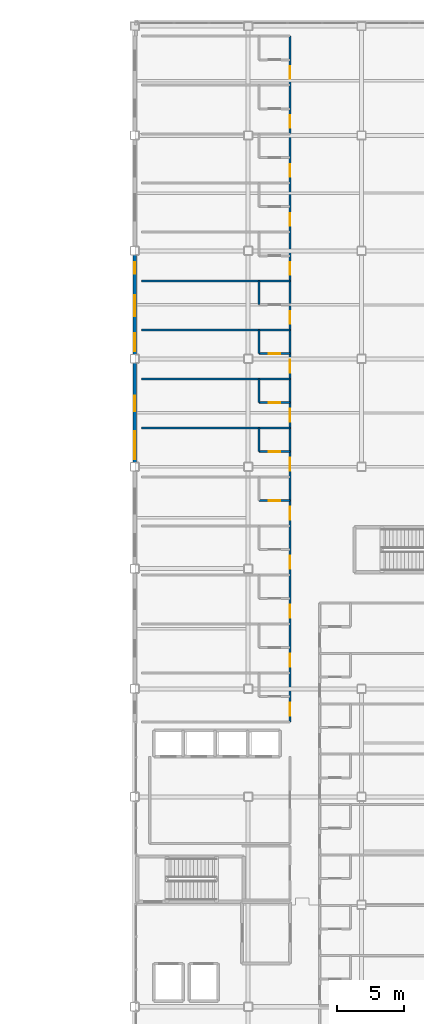
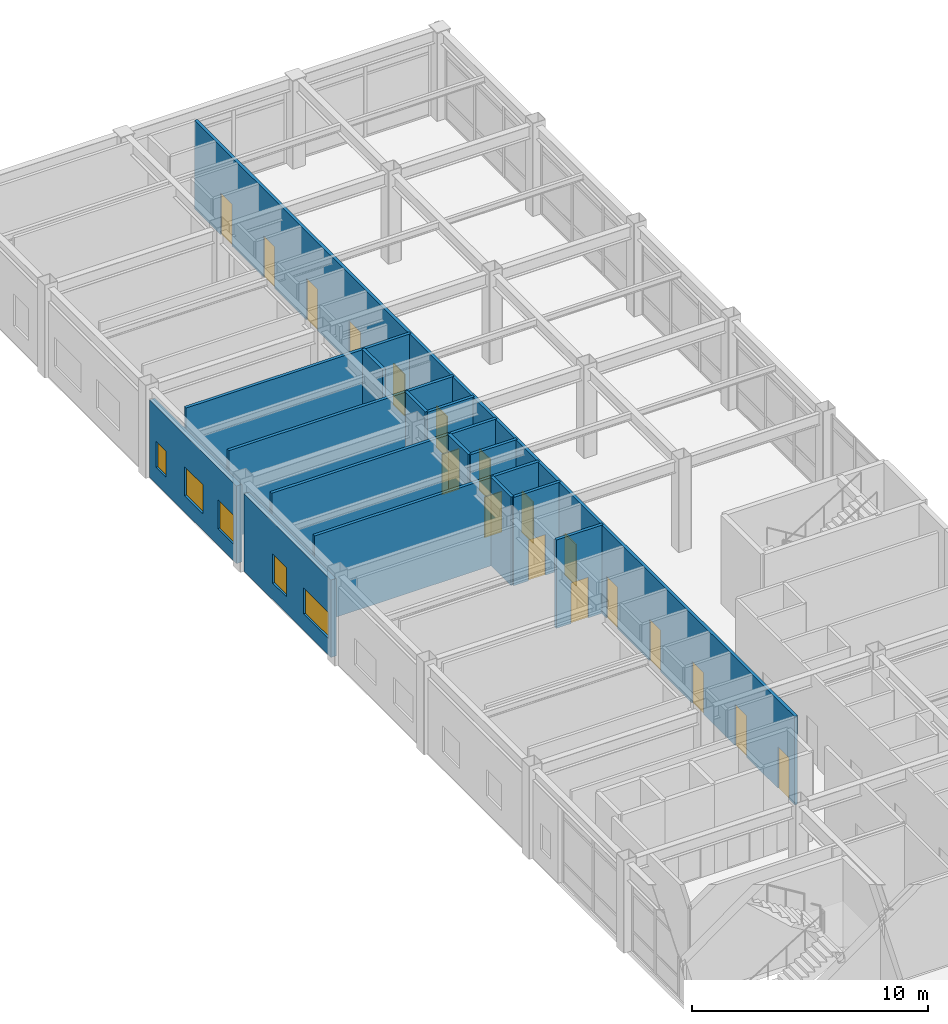
# One storey, part 54 of 61: 18 doors, 15 walls, 5 windows, 23 openings.
"""IFC4 building model written with IfcOpenShell, lengths in metres."""

from ifc_helpers import new_model, si_unit, direction, frame, frame_2d, origin, place, context, subcontext, project, spatial, rectangle, extrude, material, layer, layer_set, type_object, element, fill, save


model = new_model("IFC4")

# Units and contexts
model_context = context("Model", 3, precision=1e-05, world=origin(), true_north=direction((0.0, 1.0)))
body_context = subcontext(model_context, "Body", "Model", "MODEL_VIEW")
ifc_project = project(units=[si_unit("LENGTHUNIT", "METRE"), si_unit("AREAUNIT", "SQUARE_METRE"), si_unit("VOLUMEUNIT", "CUBIC_METRE"), si_unit("PLANEANGLEUNIT", "RADIAN"), si_unit("MASSUNIT", "GRAM", prefix="KILO")], contexts=[model_context])

# Site, building, storey
site_placement = place(None, origin())
site = spatial("IfcSite", under=ifc_project, at=site_placement, CompositionType="ELEMENT")
building_placement = place(site_placement, origin())
building = spatial("IfcBuilding", under=site, at=building_placement, Name="Kazehara Bluff Congress Hotel", CompositionType="ELEMENT")
storey_placement = place(building_placement, frame((0.0, 0.0, 19.800048828125)))
storey = spatial("IfcBuildingStorey", under=building, at=storey_placement, Name="L04", CompositionType="ELEMENT", Elevation=19.800048828125)

# Wall, openings, windows
ifc_material_1 = material(Name="Precast concrete C40/50", Category="concrete")
ifc_layer_1 = layer(ifc_material_1, 0.260009765625)
ifc_layer_set_1 = layer_set([ifc_layer_1], Name="Precast concrete C40/50")
wall_type_1 = type_object("IfcWallType", Name="TP-EW-260", PredefinedType="SOLIDWALL", material=ifc_layer_set_1)
wall_1_placement = place(storey_placement, frame((143.699951171875, 81.22509765625, 0.0), z_axis=(0.0, 0.0, 1.0), x_axis=(0.0, 1.0, 0.0)))
wall_1 = element("IfcWall", 1, at=wall_1_placement, inside=storey, type_object=wall_type_1, Name="L04 hotel facade panel 38", PredefinedType="SOLIDWALL", context=body_context, shape_type="SweptSolid", body=[
    extrude(rectangle(XDim=7.349853515625, YDim=0.260009765625, at=frame_2d((3.6748046875, 0.0))), origin(), (0.0, 0.0, 1.0), 4.0048828125),
])
opening_1_placement = place(wall_1_placement, frame((0.22509765625, 0.0, 0.85009765625)))
opening_1 = element("IfcOpeningElement", 2, at=opening_1_placement, cuts=wall_1, Name="Opening WN-46", PredefinedType="OPENING", context=body_context, shape_type="SweptSolid", body=[
    extrude(rectangle(XDim=2.10009765625, YDim=1.35009765625, at=frame_2d((1.050048828125, 0.675048828125))), frame((0.0, 0.139892578125, 0.0), z_axis=(0.0, -1.0, 0.0), x_axis=(1.0, 0.0, 0.0)), (0.0, 0.0, 1.0), 0.280029296875),
])
opening_2_placement = place(wall_1_placement, frame((3.784912109375, 0.0, 0.85009765625)))
opening_2 = element("IfcOpeningElement", 3, at=opening_2_placement, cuts=wall_1, Name="Opening WN-02", PredefinedType="OPENING", context=body_context, shape_type="SweptSolid", body=[
    extrude(rectangle(XDim=1.14990234375, YDim=1.5, at=frame_2d((0.574951171875, 0.75))), frame((0.0, 0.139892578125, 0.0), z_axis=(0.0, -1.0, 0.0), x_axis=(1.0, 0.0, 0.0)), (0.0, 0.0, 1.0), 0.280029296875),
])
ifc_material_2 = material(Name="Insulated low-E double glazing", Category="glass")
window_type_1 = type_object("IfcWindowType", Name="TP-WN-02", PartitioningType="SINGLE_PANEL", PredefinedType="WINDOW", material=ifc_material_2)
window_1_placement = place(opening_2_placement, origin())
window_1 = element("IfcWindow", 4, at=window_1_placement, inside=storey, type_object=window_type_1, Name="L04 guestroom window WN-02 59", OverallHeight=1.5, OverallWidth=1.14990234375, PartitioningType="SINGLE_PANEL", PredefinedType="WINDOW", context=body_context, shape_type="SweptSolid", body=[
    extrude(rectangle(XDim=1.14990234375, YDim=1.5, at=frame_2d((0.574951171875, 0.75))), frame((0.0, 0.030029296875, 0.0), z_axis=(0.0, -1.0, 0.0), x_axis=(1.0, 0.0, 0.0)), (0.0, 0.0, 1.0), 0.06005859375),
])
fill(opening_2, window_1)
ifc_material_3 = material(Name="Insulated low-E double glazing", Category="glass")
window_type_2 = type_object("IfcWindowType", Name="TP-WN-46", PartitioningType="DOUBLE_PANEL_VERTICAL", PredefinedType="WINDOW", material=ifc_material_3)
window_2_placement = place(opening_1_placement, origin())
window_2 = element("IfcWindow", 5, at=window_2_placement, inside=storey, type_object=window_type_2, Name="L04 guestroom window WN-46 58", OverallHeight=1.35009765625, OverallWidth=2.10009765625, PartitioningType="SINGLE_PANEL", PredefinedType="WINDOW", context=body_context, shape_type="SweptSolid", body=[
    extrude(rectangle(XDim=2.10009765625, YDim=1.35009765625, at=frame_2d((1.050048828125, 0.675048828125))), frame((0.0, 0.030029296875, 0.0), z_axis=(0.0, -1.0, 0.0), x_axis=(1.0, 0.0, 0.0)), (0.0, 0.0, 1.0), 0.06005859375),
])
fill(opening_1, window_2)

wall_2_placement = place(storey_placement, frame((143.699951171875, 89.22509765625, 0.0), z_axis=(0.0, 0.0, 1.0), x_axis=(0.0, 1.0, 0.0)))
wall_2 = element("IfcWall", 6, at=wall_2_placement, inside=storey, type_object=wall_type_1, Name="L04 hotel facade panel 39", PredefinedType="SOLIDWALL", context=body_context, shape_type="SweptSolid", body=[
    extrude(rectangle(XDim=7.349853515625, YDim=0.260009765625, at=frame_2d((3.6748046875, 0.0))), origin(), (0.0, 0.0, 1.0), 4.0048828125),
])
opening_3_placement = place(wall_2_placement, frame((0.22998046875, 0.0, 0.85009765625)))
opening_3 = element("IfcOpeningElement", 7, at=opening_3_placement, cuts=wall_2, Name="Opening WN-12", PredefinedType="OPENING", context=body_context, shape_type="SweptSolid", body=[
    extrude(rectangle(XDim=1.35009765625, YDim=1.5, at=frame_2d((0.675048828125, 0.75))), frame((0.0, 0.139892578125, 0.0), z_axis=(0.0, -1.0, 0.0), x_axis=(1.0, 0.0, 0.0)), (0.0, 0.0, 1.0), 0.280029296875),
])
opening_4_placement = place(wall_2_placement, frame((2.844970703125, 0.0, 0.85009765625)))
opening_4 = element("IfcOpeningElement", 8, at=opening_4_placement, cuts=wall_2, Name="Opening WN-22", PredefinedType="OPENING", context=body_context, shape_type="SweptSolid", body=[
    extrude(rectangle(XDim=1.550048828125, YDim=1.5, at=frame_2d((0.77490234375, 0.75))), frame((0.0, 0.139892578125, 0.0), z_axis=(0.0, -1.0, 0.0), x_axis=(1.0, 0.0, 0.0)), (0.0, 0.0, 1.0), 0.280029296875),
])
opening_5_placement = place(wall_2_placement, frame((5.965087890625, 0.0, 0.85009765625)))
opening_5 = element("IfcOpeningElement", 9, at=opening_5_placement, cuts=wall_2, Name="Opening WN-55", PredefinedType="OPENING", context=body_context, shape_type="SweptSolid", body=[
    extrude(rectangle(XDim=0.85009765625, YDim=1.35009765625, at=frame_2d((0.425048828125, 0.675048828125))), frame((0.0, 0.139892578125, 0.0), z_axis=(0.0, -1.0, 0.0), x_axis=(1.0, 0.0, 0.0)), (0.0, 0.0, 1.0), 0.280029296875),
])
ifc_material_4 = material(Name="Insulated low-E double glazing", Category="glass")
window_type_3 = type_object("IfcWindowType", Name="TP-WN-12", PartitioningType="SINGLE_PANEL", PredefinedType="WINDOW", material=ifc_material_4)
window_3_placement = place(opening_3_placement, origin())
window_3 = element("IfcWindow", 10, at=window_3_placement, inside=storey, type_object=window_type_3, Name="L04 guestroom window WN-12 60", OverallHeight=1.5, OverallWidth=1.35009765625, PartitioningType="SINGLE_PANEL", PredefinedType="WINDOW", context=body_context, shape_type="SweptSolid", body=[
    extrude(rectangle(XDim=1.35009765625, YDim=1.5, at=frame_2d((0.675048828125, 0.75))), frame((0.0, 0.030029296875, 0.0), z_axis=(0.0, -1.0, 0.0), x_axis=(1.0, 0.0, 0.0)), (0.0, 0.0, 1.0), 0.06005859375),
])
fill(opening_3, window_3)
ifc_material_5 = material(Name="Insulated low-E double glazing", Category="glass")
window_type_4 = type_object("IfcWindowType", Name="TP-WN-22", PartitioningType="SINGLE_PANEL", PredefinedType="WINDOW", material=ifc_material_5)
window_4_placement = place(opening_4_placement, origin())
window_4 = element("IfcWindow", 11, at=window_4_placement, inside=storey, type_object=window_type_4, Name="L04 guestroom window WN-22 61", OverallHeight=1.5, OverallWidth=1.550048828125, PartitioningType="SINGLE_PANEL", PredefinedType="WINDOW", context=body_context, shape_type="SweptSolid", body=[
    extrude(rectangle(XDim=1.550048828125, YDim=1.5, at=frame_2d((0.77490234375, 0.75))), frame((0.0, 0.030029296875, 0.0), z_axis=(0.0, -1.0, 0.0), x_axis=(1.0, 0.0, 0.0)), (0.0, 0.0, 1.0), 0.06005859375),
])
fill(opening_4, window_4)
ifc_material_6 = material(Name="Insulated low-E double glazing", Category="glass")
window_type_5 = type_object("IfcWindowType", Name="TP-WN-55", PartitioningType="SINGLE_PANEL", PredefinedType="WINDOW", material=ifc_material_6)
window_5_placement = place(opening_5_placement, origin())
window_5 = element("IfcWindow", 12, at=window_5_placement, inside=storey, type_object=window_type_5, Name="L04 guestroom window WN-55 62", OverallHeight=1.35009765625, OverallWidth=0.85009765625, PartitioningType="SINGLE_PANEL", PredefinedType="WINDOW", context=body_context, shape_type="SweptSolid", body=[
    extrude(rectangle(XDim=0.85009765625, YDim=1.35009765625, at=frame_2d((0.425048828125, 0.675048828125))), frame((0.0, 0.030029296875, 0.0), z_axis=(0.0, -1.0, 0.0), x_axis=(1.0, 0.0, 0.0)), (0.0, 0.0, 1.0), 0.06005859375),
])
fill(opening_5, window_5)

# Wall, opening, door
ifc_material_7 = material(Name="Fire-rated gypsum board stud partition")
ifc_layer_2 = layer(ifc_material_7, 0.14990234375)
ifc_layer_set_2 = layer_set([ifc_layer_2], Name="Fire-rated gypsum board stud partition")
wall_type_2 = type_object("IfcWallType", Name="TP-PT-150", PredefinedType="PARTITIONING", material=ifc_layer_set_2)
wall_3_placement = place(storey_placement, frame((152.89990234375, 78.389892578125, 0.0), z_axis=(0.0, 0.0, 1.0), x_axis=(1.0, 0.0, 0.0)))
wall_3 = element("IfcWall", 13, at=wall_3_placement, inside=storey, type_object=wall_type_2, Name="L04 partition PT-150 435", PredefinedType="PARTITIONING", context=body_context, shape_type="SweptSolid", body=[
    extrude(rectangle(XDim=2.300048828125, YDim=0.14990234375, at=frame_2d((1.14990234375, 0.0))), origin(), (0.0, 0.0, 1.0), 4.56494140625),
])
opening_6_placement = place(wall_3_placement, frame((0.72509765625, 0.0, 0.0)))
opening_6 = element("IfcOpeningElement", 14, at=opening_6_placement, cuts=wall_3, Name="Opening BD-01", PredefinedType="OPENING", context=body_context, shape_type="SweptSolid", body=[
    extrude(rectangle(XDim=0.85009765625, YDim=2.10009765625, at=frame_2d((0.425048828125, 1.050048828125))), frame((0.0, 0.0849609375, 0.0), z_axis=(0.0, -1.0, 0.0), x_axis=(1.0, 0.0, 0.0)), (0.0, 0.0, 1.0), 0.169921875),
])
ifc_material_8 = material(Name="Architectural oak veneer leaf")
door_type_1 = type_object("IfcDoorType", Name="TP-BD-01", OperationType="NOTDEFINED", PredefinedType="DOOR", material=ifc_material_8)
door_1_placement = place(opening_6_placement, origin())
door_1 = element("IfcDoor", 15, at=door_1_placement, inside=storey, type_object=door_type_1, Name="L04 En-suite Bathroom 39 door", OperationType="SINGLE_SWING_LEFT", OverallHeight=2.10009765625, OverallWidth=0.85009765625, PredefinedType="DOOR", context=body_context, shape_type="SweptSolid", body=[
    extrude(rectangle(XDim=0.85009765625, YDim=2.10009765625, at=frame_2d((0.425048828125, 1.050048828125))), frame((0.0, 0.02490234375, 0.0), z_axis=(0.0, -1.0, 0.0), x_axis=(1.0, 0.0, 0.0)), (0.0, 0.0, 1.0), 0.050048828125),
])
fill(opening_6, door_1)

wall_4_placement = place(storey_placement, frame((152.89990234375, 82.02001953125, 0.0), z_axis=(0.0, 0.0, 1.0), x_axis=(1.0, 0.0, 0.0)))
wall_4 = element("IfcWall", 16, at=wall_4_placement, inside=storey, type_object=wall_type_2, Name="L04 partition PT-150 437", PredefinedType="PARTITIONING", context=body_context, shape_type="SweptSolid", body=[
    extrude(rectangle(XDim=2.300048828125, YDim=0.14990234375, at=frame_2d((1.14990234375, 0.0))), origin(), (0.0, 0.0, 1.0), 4.56494140625),
])
opening_7_placement = place(wall_4_placement, frame((0.72509765625, 0.0, 0.0)))
opening_7 = element("IfcOpeningElement", 17, at=opening_7_placement, cuts=wall_4, Name="Opening BD-01", PredefinedType="OPENING", context=body_context, shape_type="SweptSolid", body=[
    extrude(rectangle(XDim=0.85009765625, YDim=2.10009765625, at=frame_2d((0.425048828125, 1.050048828125))), frame((0.0, 0.0849609375, 0.0), z_axis=(0.0, -1.0, 0.0), x_axis=(1.0, 0.0, 0.0)), (0.0, 0.0, 1.0), 0.169921875),
])
door_2_placement = place(opening_7_placement, origin())
door_2 = element("IfcDoor", 18, at=door_2_placement, inside=storey, type_object=door_type_1, Name="L04 En-suite Bathroom 40 door", OperationType="SINGLE_SWING_LEFT", OverallHeight=2.10009765625, OverallWidth=0.85009765625, PredefinedType="DOOR", context=body_context, shape_type="SweptSolid", body=[
    extrude(rectangle(XDim=0.85009765625, YDim=2.10009765625, at=frame_2d((0.425048828125, 1.050048828125))), frame((0.0, 0.02490234375, 0.0), z_axis=(0.0, -1.0, 0.0), x_axis=(1.0, 0.0, 0.0)), (0.0, 0.0, 1.0), 0.050048828125),
])
fill(opening_7, door_2)

# Wall
wall_5_placement = place(storey_placement, frame((144.199951171875, 83.77001953125, 0.0), z_axis=(0.0, 0.0, 1.0), x_axis=(1.0, 0.0, 0.0)))
element("IfcWall", 19, at=wall_5_placement, inside=storey, type_object=wall_type_2, Name="L04 partition PT-150 438", PredefinedType="PARTITIONING", context=body_context, shape_type="SweptSolid", body=[
    extrude(rectangle(XDim=11.0, YDim=0.14990234375, at=frame_2d((5.5, 0.0))), origin(), (0.0, 0.0, 1.0), 4.56494140625),
])

# Wall, opening, door
wall_6_placement = place(storey_placement, frame((152.89990234375, 85.64990234375, 0.0), z_axis=(0.0, 0.0, 1.0), x_axis=(1.0, 0.0, 0.0)))
wall_6 = element("IfcWall", 20, at=wall_6_placement, inside=storey, type_object=wall_type_2, Name="L04 partition PT-150 439", PredefinedType="PARTITIONING", context=body_context, shape_type="SweptSolid", body=[
    extrude(rectangle(XDim=2.300048828125, YDim=0.14990234375, at=frame_2d((1.14990234375, 0.0))), origin(), (0.0, 0.0, 1.0), 4.56494140625),
])
opening_8_placement = place(wall_6_placement, frame((0.72509765625, 0.0, 0.0)))
opening_8 = element("IfcOpeningElement", 21, at=opening_8_placement, cuts=wall_6, Name="Opening BD-01", PredefinedType="OPENING", context=body_context, shape_type="SweptSolid", body=[
    extrude(rectangle(XDim=0.85009765625, YDim=2.10009765625, at=frame_2d((0.425048828125, 1.050048828125))), frame((0.0, 0.0849609375, 0.0), z_axis=(0.0, -1.0, 0.0), x_axis=(1.0, 0.0, 0.0)), (0.0, 0.0, 1.0), 0.169921875),
])
door_3_placement = place(opening_8_placement, origin())
door_3 = element("IfcDoor", 22, at=door_3_placement, inside=storey, type_object=door_type_1, Name="L04 En-suite Bathroom 41 door", OperationType="SINGLE_SWING_LEFT", OverallHeight=2.10009765625, OverallWidth=0.85009765625, PredefinedType="DOOR", context=body_context, shape_type="SweptSolid", body=[
    extrude(rectangle(XDim=0.85009765625, YDim=2.10009765625, at=frame_2d((0.425048828125, 1.050048828125))), frame((0.0, 0.02490234375, 0.0), z_axis=(0.0, -1.0, 0.0), x_axis=(1.0, 0.0, 0.0)), (0.0, 0.0, 1.0), 0.050048828125),
])
fill(opening_8, door_3)

# Wall
wall_7_placement = place(storey_placement, frame((144.199951171875, 87.39990234375, 0.0), z_axis=(0.0, 0.0, 1.0), x_axis=(1.0, 0.0, 0.0)))
element("IfcWall", 23, at=wall_7_placement, inside=storey, type_object=wall_type_2, Name="L04 partition PT-150 440", PredefinedType="PARTITIONING", context=body_context, shape_type="SweptSolid", body=[
    extrude(rectangle(XDim=11.0, YDim=0.14990234375, at=frame_2d((5.5, 0.0))), origin(), (0.0, 0.0, 1.0), 4.56494140625),
])

# Wall, opening, door
wall_8_placement = place(storey_placement, frame((152.89990234375, 89.280029296875, 0.0), z_axis=(0.0, 0.0, 1.0), x_axis=(1.0, 0.0, 0.0)))
wall_8 = element("IfcWall", 24, at=wall_8_placement, inside=storey, type_object=wall_type_2, Name="L04 partition PT-150 441", PredefinedType="PARTITIONING", context=body_context, shape_type="SweptSolid", body=[
    extrude(rectangle(XDim=2.300048828125, YDim=0.14990234375, at=frame_2d((1.14990234375, 0.0))), origin(), (0.0, 0.0, 1.0), 4.56494140625),
])
opening_9_placement = place(wall_8_placement, frame((0.72509765625, 0.0, 0.0)))
opening_9 = element("IfcOpeningElement", 25, at=opening_9_placement, cuts=wall_8, Name="Opening BD-01", PredefinedType="OPENING", context=body_context, shape_type="SweptSolid", body=[
    extrude(rectangle(XDim=0.85009765625, YDim=2.10009765625, at=frame_2d((0.425048828125, 1.050048828125))), frame((0.0, 0.0849609375, 0.0), z_axis=(0.0, -1.0, 0.0), x_axis=(1.0, 0.0, 0.0)), (0.0, 0.0, 1.0), 0.169921875),
])
door_4_placement = place(opening_9_placement, origin())
door_4 = element("IfcDoor", 26, at=door_4_placement, inside=storey, type_object=door_type_1, Name="L04 En-suite Bathroom 42 door", OperationType="SINGLE_SWING_LEFT", OverallHeight=2.10009765625, OverallWidth=0.85009765625, PredefinedType="DOOR", context=body_context, shape_type="SweptSolid", body=[
    extrude(rectangle(XDim=0.85009765625, YDim=2.10009765625, at=frame_2d((0.425048828125, 1.050048828125))), frame((0.0, 0.02490234375, 0.0), z_axis=(0.0, -1.0, 0.0), x_axis=(1.0, 0.0, 0.0)), (0.0, 0.0, 1.0), 0.050048828125),
])
fill(opening_9, door_4)

# Walls
for number, where, z_axis, x_axis, name in (
    (27, (144.199951171875, 91.030029296875, 0.0), (0.0, 0.0, 1.0), (1.0, 0.0, 0.0), "L04 partition PT-150 442"),
    (28, (144.199951171875, 94.659912109375, 0.0), (0.0, 0.0, 1.0), (1.0, 0.0, 0.0), "L04 partition PT-150 444"),
):
    element("IfcWall", number, at=place(storey_placement, frame(where, z_axis=z_axis, x_axis=x_axis)), inside=storey, type_object=wall_type_2, Name=name, PredefinedType="PARTITIONING", context=body_context, shape_type="SweptSolid", body=[
        extrude(rectangle(XDim=11.0, YDim=0.14990234375, at=frame_2d((5.5, 0.0))), origin(), (0.0, 0.0, 1.0), 4.56494140625),
    ])
for number, where, z_axis, x_axis, name in (
    (29, (152.89990234375, 82.02001953125, 0.0), (0.0, 0.0, 1.0), (0.0, 1.0, 0.0), "L04 partition PT-150 470"),
    (30, (152.89990234375, 85.64990234375, 0.0), (0.0, 0.0, 1.0), (0.0, 1.0, 0.0), "L04 partition PT-150 471"),
    (31, (152.89990234375, 89.280029296875, 0.0), (0.0, 0.0, 1.0), (0.0, 1.0, 0.0), "L04 partition PT-150 472"),
    (32, (152.89990234375, 92.905029296875, 0.0), (0.0, 0.0, 1.0), (0.0, 1.0, 0.0), "L04 partition PT-150 473"),
):
    element("IfcWall", number, at=place(storey_placement, frame(where, z_axis=z_axis, x_axis=x_axis)), inside=storey, type_object=wall_type_2, Name=name, PredefinedType="PARTITIONING", context=body_context, shape_type="SweptSolid", body=[
        extrude(rectangle(XDim=1.75, YDim=0.14990234375, at=frame_2d((0.875, 0.0))), origin(), (0.0, 0.0, 1.0), 4.56494140625),
    ])

# Wall, openings, doors
wall_9_placement = place(storey_placement, frame((155.199951171875, 62.0, 0.0), z_axis=(0.0, 0.0, 1.0), x_axis=(0.0, 1.0, 0.0)))
wall_9 = element("IfcWall", 33, at=wall_9_placement, inside=storey, type_object=wall_type_2, Name="L04 partition PT-150 484", PredefinedType="PARTITIONING", context=body_context, shape_type="SweptSolid", body=[
    extrude(rectangle(XDim=50.800048828125, YDim=0.14990234375, at=frame_2d((25.39990234375, 0.0))), origin(), (0.0, 0.0, 1.0), 4.56494140625),
])
opening_10_placement = place(wall_9_placement, frame((0.465087890625, 0.0, 0.0)))
opening_10 = element("IfcOpeningElement", 34, at=opening_10_placement, cuts=wall_9, Name="Opening GD-01", PredefinedType="OPENING", context=body_context, shape_type="SweptSolid", body=[
    extrude(rectangle(XDim=0.949951171875, YDim=2.14990234375, at=frame_2d((0.47509765625, 1.074951171875))), frame((0.0, 0.0849609375, 0.0), z_axis=(0.0, -1.0, 0.0), x_axis=(1.0, 0.0, 0.0)), (0.0, 0.0, 1.0), 0.169921875),
])
opening_11_placement = place(wall_9_placement, frame((4.090087890625, 0.0, 0.0)))
opening_11 = element("IfcOpeningElement", 35, at=opening_11_placement, cuts=wall_9, Name="Opening GD-01", PredefinedType="OPENING", context=body_context, shape_type="SweptSolid", body=[
    extrude(rectangle(XDim=0.949951171875, YDim=2.14990234375, at=frame_2d((0.47509765625, 1.074951171875))), frame((0.0, 0.0849609375, 0.0), z_axis=(0.0, -1.0, 0.0), x_axis=(1.0, 0.0, 0.0)), (0.0, 0.0, 1.0), 0.169921875),
])
opening_12_placement = place(wall_9_placement, frame((7.719970703125, 0.0, 0.0)))
opening_12 = element("IfcOpeningElement", 36, at=opening_12_placement, cuts=wall_9, Name="Opening GD-01", PredefinedType="OPENING", context=body_context, shape_type="SweptSolid", body=[
    extrude(rectangle(XDim=0.949951171875, YDim=2.14990234375, at=frame_2d((0.47509765625, 1.074951171875))), frame((0.0, 0.0849609375, 0.0), z_axis=(0.0, -1.0, 0.0), x_axis=(1.0, 0.0, 0.0)), (0.0, 0.0, 1.0), 0.169921875),
])
opening_13_placement = place(wall_9_placement, frame((11.35009765625, 0.0, 0.0)))
opening_13 = element("IfcOpeningElement", 37, at=opening_13_placement, cuts=wall_9, Name="Opening GD-01", PredefinedType="OPENING", context=body_context, shape_type="SweptSolid", body=[
    extrude(rectangle(XDim=0.949951171875, YDim=2.14990234375, at=frame_2d((0.47509765625, 1.074951171875))), frame((0.0, 0.0849609375, 0.0), z_axis=(0.0, -1.0, 0.0), x_axis=(1.0, 0.0, 0.0)), (0.0, 0.0, 1.0), 0.169921875),
])
opening_14_placement = place(wall_9_placement, frame((14.97998046875, 0.0, 0.0)))
opening_14 = element("IfcOpeningElement", 38, at=opening_14_placement, cuts=wall_9, Name="Opening GD-01", PredefinedType="OPENING", context=body_context, shape_type="SweptSolid", body=[
    extrude(rectangle(XDim=0.949951171875, YDim=2.14990234375, at=frame_2d((0.47509765625, 1.074951171875))), frame((0.0, 0.0849609375, 0.0), z_axis=(0.0, -1.0, 0.0), x_axis=(1.0, 0.0, 0.0)), (0.0, 0.0, 1.0), 0.169921875),
])
opening_15_placement = place(wall_9_placement, frame((18.610107421875, 0.0, 0.0)))
opening_15 = element("IfcOpeningElement", 39, at=opening_15_placement, cuts=wall_9, Name="Opening GD-01", PredefinedType="OPENING", context=body_context, shape_type="SweptSolid", body=[
    extrude(rectangle(XDim=0.949951171875, YDim=2.14990234375, at=frame_2d((0.47509765625, 1.074951171875))), frame((0.0, 0.0849609375, 0.0), z_axis=(0.0, -1.0, 0.0), x_axis=(1.0, 0.0, 0.0)), (0.0, 0.0, 1.0), 0.169921875),
])
opening_16_placement = place(wall_9_placement, frame((22.235107421875, 0.0, 0.0)))
opening_16 = element("IfcOpeningElement", 40, at=opening_16_placement, cuts=wall_9, Name="Opening GD-01", PredefinedType="OPENING", context=body_context, shape_type="SweptSolid", body=[
    extrude(rectangle(XDim=0.949951171875, YDim=2.14990234375, at=frame_2d((0.47509765625, 1.074951171875))), frame((0.0, 0.0849609375, 0.0), z_axis=(0.0, -1.0, 0.0), x_axis=(1.0, 0.0, 0.0)), (0.0, 0.0, 1.0), 0.169921875),
])
opening_17_placement = place(wall_9_placement, frame((25.864990234375, 0.0, 0.0)))
opening_17 = element("IfcOpeningElement", 41, at=opening_17_placement, cuts=wall_9, Name="Opening GD-01", PredefinedType="OPENING", context=body_context, shape_type="SweptSolid", body=[
    extrude(rectangle(XDim=0.949951171875, YDim=2.14990234375, at=frame_2d((0.47509765625, 1.074951171875))), frame((0.0, 0.0849609375, 0.0), z_axis=(0.0, -1.0, 0.0), x_axis=(1.0, 0.0, 0.0)), (0.0, 0.0, 1.0), 0.169921875),
])
opening_18_placement = place(wall_9_placement, frame((29.489990234375, 0.0, 0.0)))
opening_18 = element("IfcOpeningElement", 42, at=opening_18_placement, cuts=wall_9, Name="Opening GD-01", PredefinedType="OPENING", context=body_context, shape_type="SweptSolid", body=[
    extrude(rectangle(XDim=0.949951171875, YDim=2.14990234375, at=frame_2d((0.47509765625, 1.074951171875))), frame((0.0, 0.0849609375, 0.0), z_axis=(0.0, -1.0, 0.0), x_axis=(1.0, 0.0, 0.0)), (0.0, 0.0, 1.0), 0.169921875),
])
opening_19_placement = place(wall_9_placement, frame((33.1201171875, 0.0, 0.0)))
opening_19 = element("IfcOpeningElement", 43, at=opening_19_placement, cuts=wall_9, Name="Opening GD-01", PredefinedType="OPENING", context=body_context, shape_type="SweptSolid", body=[
    extrude(rectangle(XDim=0.949951171875, YDim=2.14990234375, at=frame_2d((0.47509765625, 1.074951171875))), frame((0.0, 0.0849609375, 0.0), z_axis=(0.0, -1.0, 0.0), x_axis=(1.0, 0.0, 0.0)), (0.0, 0.0, 1.0), 0.169921875),
])
opening_20_placement = place(wall_9_placement, frame((36.75, 0.0, 0.0)))
opening_20 = element("IfcOpeningElement", 44, at=opening_20_placement, cuts=wall_9, Name="Opening GD-01", PredefinedType="OPENING", context=body_context, shape_type="SweptSolid", body=[
    extrude(rectangle(XDim=0.949951171875, YDim=2.14990234375, at=frame_2d((0.47509765625, 1.074951171875))), frame((0.0, 0.0849609375, 0.0), z_axis=(0.0, -1.0, 0.0), x_axis=(1.0, 0.0, 0.0)), (0.0, 0.0, 1.0), 0.169921875),
])
opening_21_placement = place(wall_9_placement, frame((40.3798828125, 0.0, 0.0)))
opening_21 = element("IfcOpeningElement", 45, at=opening_21_placement, cuts=wall_9, Name="Opening GD-01", PredefinedType="OPENING", context=body_context, shape_type="SweptSolid", body=[
    extrude(rectangle(XDim=0.949951171875, YDim=2.14990234375, at=frame_2d((0.47509765625, 1.074951171875))), frame((0.0, 0.0849609375, 0.0), z_axis=(0.0, -1.0, 0.0), x_axis=(1.0, 0.0, 0.0)), (0.0, 0.0, 1.0), 0.169921875),
])
opening_22_placement = place(wall_9_placement, frame((44.010009765625, 0.0, 0.0)))
opening_22 = element("IfcOpeningElement", 46, at=opening_22_placement, cuts=wall_9, Name="Opening GD-01", PredefinedType="OPENING", context=body_context, shape_type="SweptSolid", body=[
    extrude(rectangle(XDim=0.949951171875, YDim=2.14990234375, at=frame_2d((0.47509765625, 1.074951171875))), frame((0.0, 0.0849609375, 0.0), z_axis=(0.0, -1.0, 0.0), x_axis=(1.0, 0.0, 0.0)), (0.0, 0.0, 1.0), 0.169921875),
])
opening_23_placement = place(wall_9_placement, frame((47.635009765625, 0.0, 0.0)))
opening_23 = element("IfcOpeningElement", 47, at=opening_23_placement, cuts=wall_9, Name="Opening GD-01", PredefinedType="OPENING", context=body_context, shape_type="SweptSolid", body=[
    extrude(rectangle(XDim=0.949951171875, YDim=2.14990234375, at=frame_2d((0.47509765625, 1.074951171875))), frame((0.0, 0.0849609375, 0.0), z_axis=(0.0, -1.0, 0.0), x_axis=(1.0, 0.0, 0.0)), (0.0, 0.0, 1.0), 0.169921875),
])
ifc_material_9 = material(Name="Architectural oak veneer leaf")
door_type_2 = type_object("IfcDoorType", Name="TP-GD-01", OperationType="NOTDEFINED", PredefinedType="DOOR", material=ifc_material_9)
door_5_placement = place(opening_10_placement, origin())
door_5 = element("IfcDoor", 48, at=door_5_placement, inside=storey, type_object=door_type_2, Name="L04 Standard King Guest Room 35 door", OperationType="SINGLE_SWING_RIGHT", OverallHeight=2.14990234375, OverallWidth=0.949951171875, PredefinedType="DOOR", context=body_context, shape_type="SweptSolid", body=[
    extrude(rectangle(XDim=0.949951171875, YDim=2.14990234375, at=frame_2d((0.47509765625, 1.074951171875))), frame((0.0, 0.02490234375, 0.0), z_axis=(0.0, -1.0, 0.0), x_axis=(1.0, 0.0, 0.0)), (0.0, 0.0, 1.0), 0.050048828125),
])
fill(opening_10, door_5)
door_6_placement = place(opening_11_placement, origin())
door_6 = element("IfcDoor", 49, at=door_6_placement, inside=storey, type_object=door_type_2, Name="L04 Deluxe Twin Guest Room 36 door", OperationType="SINGLE_SWING_RIGHT", OverallHeight=2.14990234375, OverallWidth=0.949951171875, PredefinedType="DOOR", context=body_context, shape_type="SweptSolid", body=[
    extrude(rectangle(XDim=0.949951171875, YDim=2.14990234375, at=frame_2d((0.47509765625, 1.074951171875))), frame((0.0, 0.02490234375, 0.0), z_axis=(0.0, -1.0, 0.0), x_axis=(1.0, 0.0, 0.0)), (0.0, 0.0, 1.0), 0.050048828125),
])
fill(opening_11, door_6)
door_7_placement = place(opening_12_placement, origin())
door_7 = element("IfcDoor", 50, at=door_7_placement, inside=storey, type_object=door_type_2, Name="L04 Standard King Guest Room 37 door", OperationType="SINGLE_SWING_RIGHT", OverallHeight=2.14990234375, OverallWidth=0.949951171875, PredefinedType="DOOR", context=body_context, shape_type="SweptSolid", body=[
    extrude(rectangle(XDim=0.949951171875, YDim=2.14990234375, at=frame_2d((0.47509765625, 1.074951171875))), frame((0.0, 0.02490234375, 0.0), z_axis=(0.0, -1.0, 0.0), x_axis=(1.0, 0.0, 0.0)), (0.0, 0.0, 1.0), 0.050048828125),
])
fill(opening_12, door_7)
door_8_placement = place(opening_13_placement, origin())
door_8 = element("IfcDoor", 51, at=door_8_placement, inside=storey, type_object=door_type_2, Name="L04 Deluxe Twin Guest Room 38 door", OperationType="SINGLE_SWING_RIGHT", OverallHeight=2.14990234375, OverallWidth=0.949951171875, PredefinedType="DOOR", context=body_context, shape_type="SweptSolid", body=[
    extrude(rectangle(XDim=0.949951171875, YDim=2.14990234375, at=frame_2d((0.47509765625, 1.074951171875))), frame((0.0, 0.02490234375, 0.0), z_axis=(0.0, -1.0, 0.0), x_axis=(1.0, 0.0, 0.0)), (0.0, 0.0, 1.0), 0.050048828125),
])
fill(opening_13, door_8)
door_9_placement = place(opening_14_placement, origin())
door_9 = element("IfcDoor", 52, at=door_9_placement, inside=storey, type_object=door_type_2, Name="L04 Standard King Guest Room 39 door", OperationType="SINGLE_SWING_RIGHT", OverallHeight=2.14990234375, OverallWidth=0.949951171875, PredefinedType="DOOR", context=body_context, shape_type="SweptSolid", body=[
    extrude(rectangle(XDim=0.949951171875, YDim=2.14990234375, at=frame_2d((0.47509765625, 1.074951171875))), frame((0.0, 0.02490234375, 0.0), z_axis=(0.0, -1.0, 0.0), x_axis=(1.0, 0.0, 0.0)), (0.0, 0.0, 1.0), 0.050048828125),
])
fill(opening_14, door_9)
door_10_placement = place(opening_15_placement, origin())
door_10 = element("IfcDoor", 53, at=door_10_placement, inside=storey, type_object=door_type_2, Name="L04 Deluxe Twin Guest Room 40 door", OperationType="SINGLE_SWING_RIGHT", OverallHeight=2.14990234375, OverallWidth=0.949951171875, PredefinedType="DOOR", context=body_context, shape_type="SweptSolid", body=[
    extrude(rectangle(XDim=0.949951171875, YDim=2.14990234375, at=frame_2d((0.47509765625, 1.074951171875))), frame((0.0, 0.02490234375, 0.0), z_axis=(0.0, -1.0, 0.0), x_axis=(1.0, 0.0, 0.0)), (0.0, 0.0, 1.0), 0.050048828125),
])
fill(opening_15, door_10)
door_11_placement = place(opening_16_placement, origin())
door_11 = element("IfcDoor", 54, at=door_11_placement, inside=storey, type_object=door_type_2, Name="L04 Standard King Guest Room 41 door", OperationType="SINGLE_SWING_RIGHT", OverallHeight=2.14990234375, OverallWidth=0.949951171875, PredefinedType="DOOR", context=body_context, shape_type="SweptSolid", body=[
    extrude(rectangle(XDim=0.949951171875, YDim=2.14990234375, at=frame_2d((0.47509765625, 1.074951171875))), frame((0.0, 0.02490234375, 0.0), z_axis=(0.0, -1.0, 0.0), x_axis=(1.0, 0.0, 0.0)), (0.0, 0.0, 1.0), 0.050048828125),
])
fill(opening_16, door_11)
door_12_placement = place(opening_17_placement, origin())
door_12 = element("IfcDoor", 55, at=door_12_placement, inside=storey, type_object=door_type_2, Name="L04 Deluxe Twin Guest Room 42 door", OperationType="SINGLE_SWING_RIGHT", OverallHeight=2.14990234375, OverallWidth=0.949951171875, PredefinedType="DOOR", context=body_context, shape_type="SweptSolid", body=[
    extrude(rectangle(XDim=0.949951171875, YDim=2.14990234375, at=frame_2d((0.47509765625, 1.074951171875))), frame((0.0, 0.02490234375, 0.0), z_axis=(0.0, -1.0, 0.0), x_axis=(1.0, 0.0, 0.0)), (0.0, 0.0, 1.0), 0.050048828125),
])
fill(opening_17, door_12)
door_13_placement = place(opening_18_placement, origin())
door_13 = element("IfcDoor", 56, at=door_13_placement, inside=storey, type_object=door_type_2, Name="L04 Standard King Guest Room 43 door", OperationType="SINGLE_SWING_RIGHT", OverallHeight=2.14990234375, OverallWidth=0.949951171875, PredefinedType="DOOR", context=body_context, shape_type="SweptSolid", body=[
    extrude(rectangle(XDim=0.949951171875, YDim=2.14990234375, at=frame_2d((0.47509765625, 1.074951171875))), frame((0.0, 0.02490234375, 0.0), z_axis=(0.0, -1.0, 0.0), x_axis=(1.0, 0.0, 0.0)), (0.0, 0.0, 1.0), 0.050048828125),
])
fill(opening_18, door_13)
door_14_placement = place(opening_19_placement, origin())
door_14 = element("IfcDoor", 57, at=door_14_placement, inside=storey, type_object=door_type_2, Name="L04 Deluxe Twin Guest Room 44 door", OperationType="SINGLE_SWING_RIGHT", OverallHeight=2.14990234375, OverallWidth=0.949951171875, PredefinedType="DOOR", context=body_context, shape_type="SweptSolid", body=[
    extrude(rectangle(XDim=0.949951171875, YDim=2.14990234375, at=frame_2d((0.47509765625, 1.074951171875))), frame((0.0, 0.02490234375, 0.0), z_axis=(0.0, -1.0, 0.0), x_axis=(1.0, 0.0, 0.0)), (0.0, 0.0, 1.0), 0.050048828125),
])
fill(opening_19, door_14)
door_15_placement = place(opening_20_placement, origin())
door_15 = element("IfcDoor", 58, at=door_15_placement, inside=storey, type_object=door_type_2, Name="L04 Standard King Guest Room 45 door", OperationType="SINGLE_SWING_RIGHT", OverallHeight=2.14990234375, OverallWidth=0.949951171875, PredefinedType="DOOR", context=body_context, shape_type="SweptSolid", body=[
    extrude(rectangle(XDim=0.949951171875, YDim=2.14990234375, at=frame_2d((0.47509765625, 1.074951171875))), frame((0.0, 0.02490234375, 0.0), z_axis=(0.0, -1.0, 0.0), x_axis=(1.0, 0.0, 0.0)), (0.0, 0.0, 1.0), 0.050048828125),
])
fill(opening_20, door_15)
door_16_placement = place(opening_21_placement, origin())
door_16 = element("IfcDoor", 59, at=door_16_placement, inside=storey, type_object=door_type_2, Name="L04 Deluxe Twin Guest Room 46 door", OperationType="SINGLE_SWING_RIGHT", OverallHeight=2.14990234375, OverallWidth=0.949951171875, PredefinedType="DOOR", context=body_context, shape_type="SweptSolid", body=[
    extrude(rectangle(XDim=0.949951171875, YDim=2.14990234375, at=frame_2d((0.47509765625, 1.074951171875))), frame((0.0, 0.02490234375, 0.0), z_axis=(0.0, -1.0, 0.0), x_axis=(1.0, 0.0, 0.0)), (0.0, 0.0, 1.0), 0.050048828125),
])
fill(opening_21, door_16)
door_17_placement = place(opening_22_placement, origin())
door_17 = element("IfcDoor", 60, at=door_17_placement, inside=storey, type_object=door_type_2, Name="L04 Standard King Guest Room 47 door", OperationType="SINGLE_SWING_RIGHT", OverallHeight=2.14990234375, OverallWidth=0.949951171875, PredefinedType="DOOR", context=body_context, shape_type="SweptSolid", body=[
    extrude(rectangle(XDim=0.949951171875, YDim=2.14990234375, at=frame_2d((0.47509765625, 1.074951171875))), frame((0.0, 0.02490234375, 0.0), z_axis=(0.0, -1.0, 0.0), x_axis=(1.0, 0.0, 0.0)), (0.0, 0.0, 1.0), 0.050048828125),
])
fill(opening_22, door_17)
door_18_placement = place(opening_23_placement, origin())
door_18 = element("IfcDoor", 61, at=door_18_placement, inside=storey, type_object=door_type_2, Name="L04 Deluxe Twin Guest Room 48 door", OperationType="SINGLE_SWING_RIGHT", OverallHeight=2.14990234375, OverallWidth=0.949951171875, PredefinedType="DOOR", context=body_context, shape_type="SweptSolid", body=[
    extrude(rectangle(XDim=0.949951171875, YDim=2.14990234375, at=frame_2d((0.47509765625, 1.074951171875))), frame((0.0, 0.02490234375, 0.0), z_axis=(0.0, -1.0, 0.0), x_axis=(1.0, 0.0, 0.0)), (0.0, 0.0, 1.0), 0.050048828125),
])
fill(opening_23, door_18)

save(model, "model.ifc")
